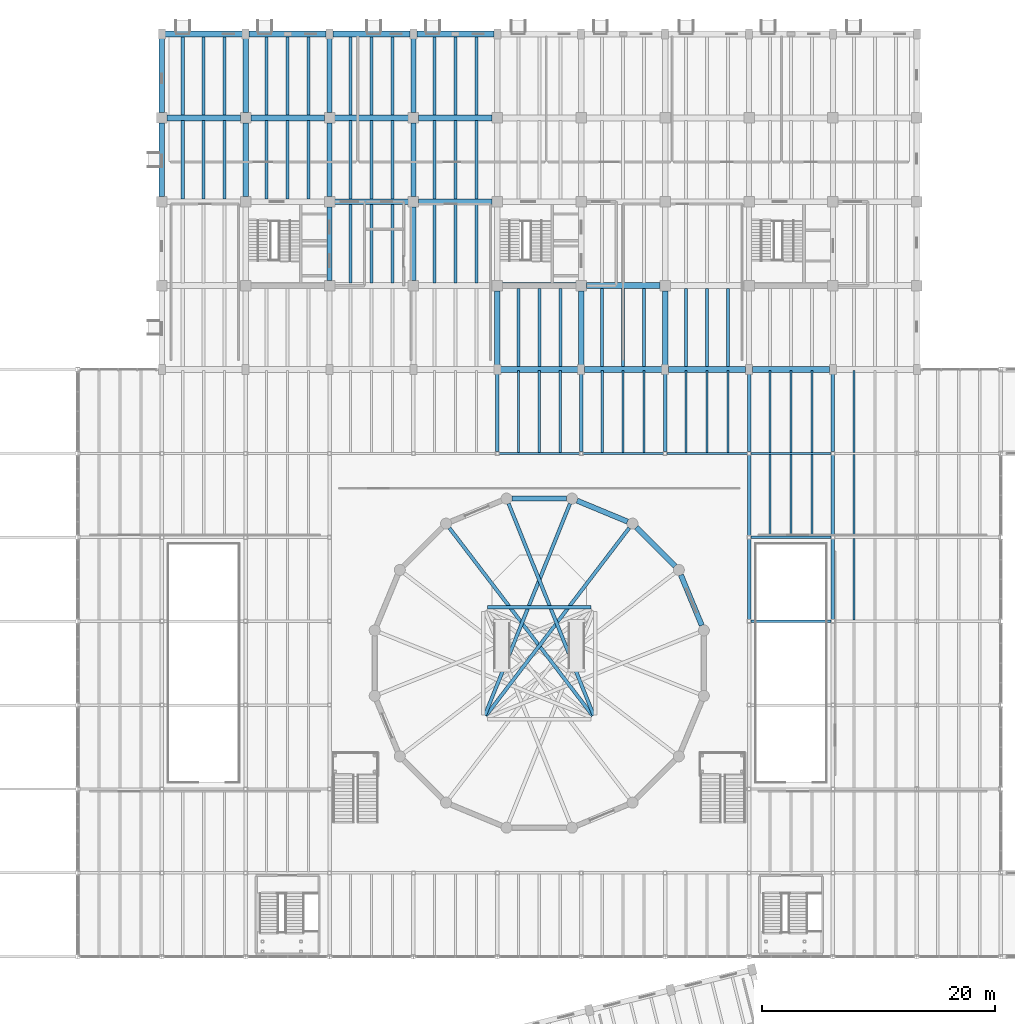
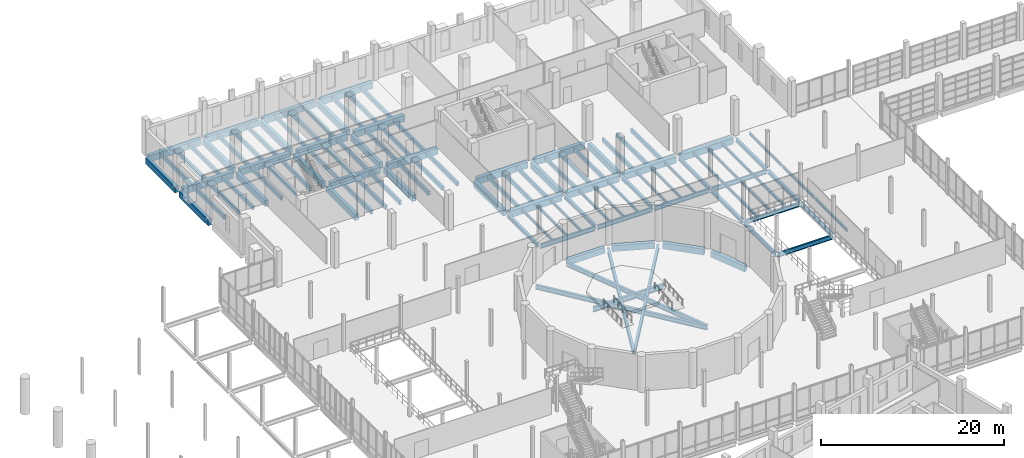
# One storey, part 36 of 77: 110 beams.
"""IFC4 building model written with IfcOpenShell, lengths in metres."""

from ifc_helpers import new_model, si_unit, direction, frame, origin, origin_2d, place, context, subcontext, project, spatial, rectangle, i_section, extrude, material, material_profile, profile_set, type_object, element, save


model = new_model("IFC4")

# Units and contexts
model_context = context("Model", 3, precision=1e-05, world=origin(), true_north=direction((0.0, 1.0)))
body_context = subcontext(model_context, "Body", "Model", "MODEL_VIEW")
ifc_project = project(units=[si_unit("LENGTHUNIT", "METRE"), si_unit("AREAUNIT", "SQUARE_METRE"), si_unit("VOLUMEUNIT", "CUBIC_METRE"), si_unit("PLANEANGLEUNIT", "RADIAN"), si_unit("MASSUNIT", "GRAM", prefix="KILO")], contexts=[model_context])

# Site, building, storey
site_placement = place(None, origin())
site = spatial("IfcSite", under=ifc_project, at=site_placement, CompositionType="ELEMENT")
building_placement = place(site_placement, origin())
building = spatial("IfcBuilding", under=site, at=building_placement, Name="Qiaolan Assembly House", CompositionType="ELEMENT")
storey_placement = place(building_placement, frame((0.0, 0.0, 5.39990234375)))
storey = spatial("IfcBuildingStorey", under=building, at=storey_placement, Name="L01", CompositionType="ELEMENT", Elevation=5.39990234375)

# Beams
ifc_material_1 = material(Name="Concrete C40/50", Category="concrete")
ifc_material_profile_1 = material_profile(ifc_material_1, rectangle(XDim=0.449951171875, YDim=0.800048828125, at=origin_2d()), Name="RCB 450x800")
ifc_profile_set_1 = profile_set([ifc_material_profile_1], Name="Concrete C40/50")
beam_type_1 = type_object("IfcBeamType", Name="BM-RC-450x800", PredefinedType="BEAM", material=ifc_profile_set_1)
beam_1_placement = place(storey_placement, frame((36.0, 101.239990234375, -0.64990234375), z_axis=(0.0, 1.0, 0.0), x_axis=(-1.0, 0.0, 0.0)))
element("IfcBeam", 1, at=beam_1_placement, inside=storey, type_object=beam_type_1, Name="GB-03 beam BMY-NW-L01-00-02", PredefinedType="BEAM", context=body_context, shape_type="SweptSolid", body=[
    extrude(rectangle(XDim=0.449951171875, YDim=0.800048828125, at=origin_2d()), origin(), (0.0, 0.0, 1.0), 6.320068359375),
])
beam_2_placement = place(storey_placement, frame((36.0, 108.43994140625, -0.64990234375), z_axis=(0.0, 1.0, 0.0), x_axis=(-1.0, 0.0, 0.0)))
element("IfcBeam", 2, at=beam_2_placement, inside=storey, type_object=beam_type_1, Name="GB-03 beam BMY-NW-L01-00-03", PredefinedType="BEAM", context=body_context, shape_type="SweptSolid", body=[
    extrude(rectangle(XDim=0.449951171875, YDim=0.800048828125, at=origin_2d()), origin(), (0.0, 0.0, 1.0), 6.469970703125),
])
beam_3_placement = place(storey_placement, frame((43.199951171875, 101.239990234375, -0.64990234375), z_axis=(0.0, 1.0, 0.0), x_axis=(-1.0, 0.0, 0.0)))
element("IfcBeam", 3, at=beam_3_placement, inside=storey, type_object=beam_type_1, Name="GB-03 beam BMY-NW-L01-01-02", PredefinedType="BEAM", context=body_context, shape_type="SweptSolid", body=[
    extrude(rectangle(XDim=0.449951171875, YDim=0.800048828125, at=origin_2d()), origin(), (0.0, 0.0, 1.0), 6.320068359375),
])
beam_4_placement = place(storey_placement, frame((43.199951171875, 108.43994140625, -0.64990234375), z_axis=(0.0, 1.0, 0.0), x_axis=(-1.0, 0.0, 0.0)))
element("IfcBeam", 4, at=beam_4_placement, inside=storey, type_object=beam_type_1, Name="GB-03 beam BMY-NW-L01-01-03", PredefinedType="BEAM", context=body_context, shape_type="SweptSolid", body=[
    extrude(rectangle(XDim=0.449951171875, YDim=0.800048828125, at=origin_2d()), origin(), (0.0, 0.0, 1.0), 6.469970703125),
])
for number, where, z_axis, x_axis, name in (
    (5, (50.39990234375, 94.0400390625, -0.64990234375), (0.0, 1.0, 0.0), (-1.0, 0.0, 0.0), "GB-03 beam BMY-NW-L01-02-01"),
    (6, (50.39990234375, 101.239990234375, -0.64990234375), (0.0, 1.0, 0.0), (-1.0, 0.0, 0.0), "GB-03 beam BMY-NW-L01-02-02"),
):
    element("IfcBeam", number, at=place(storey_placement, frame(where, z_axis=z_axis, x_axis=x_axis)), inside=storey, type_object=beam_type_1, Name=name, PredefinedType="BEAM", context=body_context, shape_type="SweptSolid", body=[
        extrude(rectangle(XDim=0.449951171875, YDim=0.800048828125, at=origin_2d()), origin(), (0.0, 0.0, 1.0), 6.320068359375),
    ])
beam_5_placement = place(storey_placement, frame((50.39990234375, 108.43994140625, -0.64990234375), z_axis=(0.0, 1.0, 0.0), x_axis=(-1.0, 0.0, 0.0)))
element("IfcBeam", 7, at=beam_5_placement, inside=storey, type_object=beam_type_1, Name="GB-03 beam BMY-NW-L01-02-03", PredefinedType="BEAM", context=body_context, shape_type="SweptSolid", body=[
    extrude(rectangle(XDim=0.449951171875, YDim=0.800048828125, at=origin_2d()), origin(), (0.0, 0.0, 1.0), 6.469970703125),
])
for number, where, z_axis, x_axis, name in (
    (8, (57.60009765625, 94.0400390625, -0.64990234375), (0.0, 1.0, 0.0), (-1.0, 0.0, 0.0), "GB-03 beam BMY-NW-L01-03-01"),
    (9, (57.60009765625, 101.239990234375, -0.64990234375), (0.0, 1.0, 0.0), (-1.0, 0.0, 0.0), "GB-03 beam BMY-NW-L01-03-02"),
):
    element("IfcBeam", number, at=place(storey_placement, frame(where, z_axis=z_axis, x_axis=x_axis)), inside=storey, type_object=beam_type_1, Name=name, PredefinedType="BEAM", context=body_context, shape_type="SweptSolid", body=[
        extrude(rectangle(XDim=0.449951171875, YDim=0.800048828125, at=origin_2d()), origin(), (0.0, 0.0, 1.0), 6.320068359375),
    ])
for number, where, z_axis, x_axis, name in (
    (10, (57.60009765625, 108.43994140625, -0.64990234375), (0.0, 1.0, 0.0), (-1.0, 0.0, 0.0), "GB-03 beam BMY-NW-L01-03-03"),
    (11, (64.800048828125, 86.68994140625, -0.64990234375), (0.0, 1.0, 0.0), (-1.0, 0.0, 0.0), "GB-03 beam BMY-NW-L01-04-00"),
    (12, (72.0, 86.68994140625, -0.64990234375), (0.0, 1.0, 0.0), (-1.0, 0.0, 0.0), "GB-03 beam BMY-NW-L01-05-00"),
    (13, (79.199951171875, 86.68994140625, -0.64990234375), (0.0, 1.0, 0.0), (-1.0, 0.0, 0.0), "GB-03 beam BMY-NW-L01-06-00"),
):
    element("IfcBeam", number, at=place(storey_placement, frame(where, z_axis=z_axis, x_axis=x_axis)), inside=storey, type_object=beam_type_1, Name=name, PredefinedType="BEAM", context=body_context, shape_type="SweptSolid", body=[
        extrude(rectangle(XDim=0.449951171875, YDim=0.800048828125, at=origin_2d()), origin(), (0.0, 0.0, 1.0), 6.469970703125),
    ])
for number, where, z_axis, x_axis, name in (
    (14, (82.345458984375, 64.43896484375, -0.68994140625), (-0.382728899311, 0.923860698175, 0.0), (-0.923860698175, -0.382728899311, 0.0), "GB-03 beam BM-DRUM-L01-00"),
    (15, (80.04443359375, 69.529052734375, -0.68994140625), (-0.707132816525, 0.707080744889, 0.0), (-0.707080744889, -0.707132816525, 0.0), "GB-03 beam BM-DRUM-L01-01"),
):
    element("IfcBeam", number, at=place(storey_placement, frame(where, z_axis=z_axis, x_axis=x_axis)), inside=storey, type_object=beam_type_1, Name=name, PredefinedType="BEAM", context=body_context, shape_type="SweptSolid", body=[
        extrude(rectangle(XDim=0.449951171875, YDim=0.800048828125, at=origin_2d()), origin(), (0.0, 0.0, 1.0), 4.6884765625),
    ])
for number, where, z_axis, x_axis, name in (
    (16, (75.970703125, 73.35107421875, -0.68994140625), (-0.923886734906, 0.382666043782, 0.0), (-0.382666043782, -0.923886734906, 0.0), "GB-03 beam BM-DRUM-L01-02"),
    (17, (70.744384765625, 75.3232421875, -0.68994140625), (-1.0, 0.0, 0.0), (0.0, -1.0, 0.0), "GB-03 beam BM-DRUM-L01-03"),
):
    element("IfcBeam", number, at=place(storey_placement, frame(where, z_axis=z_axis, x_axis=x_axis)), inside=storey, type_object=beam_type_1, Name=name, PredefinedType="BEAM", context=body_context, shape_type="SweptSolid", body=[
        extrude(rectangle(XDim=0.449951171875, YDim=0.800048828125, at=origin_2d()), origin(), (0.0, 0.0, 1.0), 4.688720703125),
    ])
ifc_material_2 = material(Name="Concrete C45/55", Category="concrete")
ifc_material_profile_2 = material_profile(ifc_material_2, rectangle(XDim=0.5, YDim=0.85009765625, at=origin_2d()), Name="RCB 500x850")
ifc_profile_set_2 = profile_set([ifc_material_profile_2], Name="Concrete C45/55")
beam_type_2 = type_object("IfcBeamType", Name="BM-RC-500x850", PredefinedType="BEAM", material=ifc_profile_set_2)
for number, where, z_axis, x_axis, name in (
    (18, (65.090087890625, 86.39990234375, -0.724853515625), (1.0, 0.0, 0.0), (0.0, 1.0, 0.0), "GB-02 beam BMX-NW-L01-04-00"),
    (19, (72.2900390625, 86.39990234375, -0.724853515625), (1.0, 0.0, 0.0), (0.0, 1.0, 0.0), "GB-02 beam BMX-NW-L01-05-00"),
):
    element("IfcBeam", number, at=place(storey_placement, frame(where, z_axis=z_axis, x_axis=x_axis)), inside=storey, type_object=beam_type_2, Name=name, PredefinedType="BEAM", context=body_context, shape_type="SweptSolid", body=[
        extrude(rectangle(XDim=0.5, YDim=0.85009765625, at=origin_2d()), origin(), (0.0, 0.0, 1.0), 6.619873046875),
    ])
for number, where, z_axis, x_axis, name in (
    (20, (79.489990234375, 86.39990234375, -0.724853515625), (1.0, 0.0, 0.0), (0.0, 1.0, 0.0), "GB-02 beam BMX-NW-L01-06-00"),
    (21, (86.68994140625, 86.39990234375, -0.724853515625), (1.0, 0.0, 0.0), (0.0, 1.0, 0.0), "GB-02 beam BMX-NW-L01-07-00"),
):
    element("IfcBeam", number, at=place(storey_placement, frame(where, z_axis=z_axis, x_axis=x_axis)), inside=storey, type_object=beam_type_2, Name=name, PredefinedType="BEAM", context=body_context, shape_type="SweptSolid", body=[
        extrude(rectangle(XDim=0.5, YDim=0.85009765625, at=origin_2d()), origin(), (0.0, 0.0, 1.0), 6.6201171875),
    ])
for number, where, z_axis, x_axis, name in (
    (22, (65.239990234375, 93.60009765625, -0.6748046875), (1.0, 0.0, 0.0), (0.0, 1.0, 0.0), "GB-02 beam BMX-NW-L01-04-01"),
    (23, (72.43994140625, 93.60009765625, -0.6748046875), (1.0, 0.0, 0.0), (0.0, 1.0, 0.0), "GB-02 beam BMX-NW-L01-05-01"),
):
    element("IfcBeam", number, at=place(storey_placement, frame(where, z_axis=z_axis, x_axis=x_axis)), inside=storey, type_object=beam_type_2, Name=name, PredefinedType="BEAM", context=body_context, shape_type="SweptSolid", body=[
        extrude(rectangle(XDim=0.5, YDim=0.85009765625, at=origin_2d()), origin(), (0.0, 0.0, 1.0), 6.320068359375),
    ])
beam_6_placement = place(storey_placement, frame((50.840087890625, 100.800048828125, -0.6748046875), z_axis=(1.0, 0.0, 0.0), x_axis=(0.0, 1.0, 0.0)))
element("IfcBeam", 24, at=beam_6_placement, inside=storey, type_object=beam_type_2, Name="GB-02 beam BMX-NW-L01-02-02", PredefinedType="BEAM", context=body_context, shape_type="SweptSolid", body=[
    extrude(rectangle(XDim=0.5, YDim=0.85009765625, at=origin_2d()), origin(), (0.0, 0.0, 1.0), 6.31982421875),
])
for number, where, z_axis, x_axis, name in (
    (25, (58.0400390625, 100.800048828125, -0.6748046875), (1.0, 0.0, 0.0), (0.0, 1.0, 0.0), "GB-02 beam BMX-NW-L01-03-02"),
    (26, (36.43994140625, 108.0, -0.6748046875), (1.0, 0.0, 0.0), (0.0, 1.0, 0.0), "GB-02 beam BMX-NW-L01-00-03"),
    (27, (43.639892578125, 108.0, -0.6748046875), (1.0, 0.0, 0.0), (0.0, 1.0, 0.0), "GB-02 beam BMX-NW-L01-01-03"),
):
    element("IfcBeam", number, at=place(storey_placement, frame(where, z_axis=z_axis, x_axis=x_axis)), inside=storey, type_object=beam_type_2, Name=name, PredefinedType="BEAM", context=body_context, shape_type="SweptSolid", body=[
        extrude(rectangle(XDim=0.5, YDim=0.85009765625, at=origin_2d()), origin(), (0.0, 0.0, 1.0), 6.320068359375),
    ])
beam_7_placement = place(storey_placement, frame((50.840087890625, 108.0, -0.6748046875), z_axis=(1.0, 0.0, 0.0), x_axis=(0.0, 1.0, 0.0)))
element("IfcBeam", 28, at=beam_7_placement, inside=storey, type_object=beam_type_2, Name="GB-02 beam BMX-NW-L01-02-03", PredefinedType="BEAM", context=body_context, shape_type="SweptSolid", body=[
    extrude(rectangle(XDim=0.5, YDim=0.85009765625, at=origin_2d()), origin(), (0.0, 0.0, 1.0), 6.31982421875),
])
beam_8_placement = place(storey_placement, frame((58.0400390625, 108.0, -0.6748046875), z_axis=(1.0, 0.0, 0.0), x_axis=(0.0, 1.0, 0.0)))
element("IfcBeam", 29, at=beam_8_placement, inside=storey, type_object=beam_type_2, Name="GB-02 beam BMX-NW-L01-03-03", PredefinedType="BEAM", context=body_context, shape_type="SweptSolid", body=[
    extrude(rectangle(XDim=0.5, YDim=0.85009765625, at=origin_2d()), origin(), (0.0, 0.0, 1.0), 6.320068359375),
])
beam_9_placement = place(storey_placement, frame((36.2900390625, 115.199951171875, -0.6748046875), z_axis=(1.0, 0.0, 0.0), x_axis=(0.0, 1.0, 0.0)))
element("IfcBeam", 30, at=beam_9_placement, inside=storey, type_object=beam_type_2, Name="GB-02 beam BMX-NW-L01-00-04", PredefinedType="BEAM", context=body_context, shape_type="SweptSolid", body=[
    extrude(rectangle(XDim=0.5, YDim=0.85009765625, at=origin_2d()), origin(), (0.0, 0.0, 1.0), 6.619873046875),
])
for number, where, z_axis, x_axis, name in (
    (31, (43.489990234375, 115.199951171875, -0.6748046875), (1.0, 0.0, 0.0), (0.0, 1.0, 0.0), "GB-02 beam BMX-NW-L01-01-04"),
    (32, (50.68994140625, 115.199951171875, -0.6748046875), (1.0, 0.0, 0.0), (0.0, 1.0, 0.0), "GB-02 beam BMX-NW-L01-02-04"),
    (33, (57.889892578125, 115.199951171875, -0.6748046875), (1.0, 0.0, 0.0), (0.0, 1.0, 0.0), "GB-02 beam BMX-NW-L01-03-04"),
):
    element("IfcBeam", number, at=place(storey_placement, frame(where, z_axis=z_axis, x_axis=x_axis)), inside=storey, type_object=beam_type_2, Name=name, PredefinedType="BEAM", context=body_context, shape_type="SweptSolid", body=[
        extrude(rectangle(XDim=0.5, YDim=0.85009765625, at=origin_2d()), origin(), (0.0, 0.0, 1.0), 6.6201171875),
    ])
ifc_material_3 = material(Name="Steel Q355B", Category="steel")
ifc_material_profile_3 = material_profile(ifc_material_3, i_section(OverallWidth=0.300048828125, OverallDepth=0.488037109375, WebThickness=0.010986328125, FlangeThickness=0.01806640625, FilletRadius=0.02001953125, at=origin_2d()), Name="HM 488x300x11x18")
ifc_profile_set_3 = profile_set([ifc_material_profile_3], Name="Steel Q355B")
beam_type_3 = type_object("IfcBeamType", Name="BM-STL-HM488", PredefinedType="BEAM", material=ifc_profile_set_3)
for number, where, z_axis, x_axis, name in (
    (34, (64.800048828125, 79.35009765625, -0.5439453125), (0.0, 1.0, 0.0), (-1.0, 0.0, 0.0), "SB-04 beam BMY-HL-L01-06-06"),
    (35, (72.0, 79.35009765625, -0.5439453125), (0.0, 1.0, 0.0), (-1.0, 0.0, 0.0), "SB-04 beam BMY-HL-L01-07-06"),
    (36, (79.199951171875, 79.35009765625, -0.5439453125), (0.0, 1.0, 0.0), (-1.0, 0.0, 0.0), "SB-04 beam BMY-HL-L01-08-06"),
):
    element("IfcBeam", number, at=place(storey_placement, frame(where, z_axis=z_axis, x_axis=x_axis)), inside=storey, type_object=beam_type_3, Name=name, PredefinedType="BEAM", context=body_context, shape_type="SweptSolid", body=[
        extrude(i_section(OverallWidth=0.300048828125, OverallDepth=0.488037109375, WebThickness=0.010986328125, FlangeThickness=0.01806640625, FilletRadius=0.02001953125, at=origin_2d()), origin(), (0.0, 0.0, 1.0), 6.760009765625),
    ])
for number, where, z_axis, x_axis, name in (
    (37, (86.39990234375, 64.949951171875, -0.5439453125), (0.0, 1.0, 0.0), (-1.0, 0.0, 0.0), "SB-04 beam BMY-HL-L01-09-04"),
    (38, (86.39990234375, 72.14990234375, -0.5439453125), (0.0, 1.0, 0.0), (-1.0, 0.0, 0.0), "SB-04 beam BMY-HL-L01-09-05"),
):
    element("IfcBeam", number, at=place(storey_placement, frame(where, z_axis=z_axis, x_axis=x_axis)), inside=storey, type_object=beam_type_3, Name=name, PredefinedType="BEAM", context=body_context, shape_type="SweptSolid", body=[
        extrude(i_section(OverallWidth=0.300048828125, OverallDepth=0.488037109375, WebThickness=0.010986328125, FlangeThickness=0.01806640625, FilletRadius=0.02001953125, at=origin_2d()), origin(), (0.0, 0.0, 1.0), 6.900146484375),
    ])
beam_10_placement = place(storey_placement, frame((86.39990234375, 79.35009765625, -0.5439453125), z_axis=(0.0, 1.0, 0.0), x_axis=(-1.0, 0.0, 0.0)))
element("IfcBeam", 39, at=beam_10_placement, inside=storey, type_object=beam_type_3, Name="SB-04 beam BMY-HL-L01-09-06", PredefinedType="BEAM", context=body_context, shape_type="SweptSolid", body=[
    extrude(i_section(OverallWidth=0.300048828125, OverallDepth=0.488037109375, WebThickness=0.010986328125, FlangeThickness=0.01806640625, FilletRadius=0.02001953125, at=origin_2d()), origin(), (0.0, 0.0, 1.0), 6.760009765625),
])
for number, where, z_axis, x_axis, name in (
    (40, (93.60009765625, 64.949951171875, -0.5439453125), (0.0, 1.0, 0.0), (-1.0, 0.0, 0.0), "SB-04 beam BMY-HL-L01-10-04"),
    (41, (93.60009765625, 72.14990234375, -0.5439453125), (0.0, 1.0, 0.0), (-1.0, 0.0, 0.0), "SB-04 beam BMY-HL-L01-10-05"),
):
    element("IfcBeam", number, at=place(storey_placement, frame(where, z_axis=z_axis, x_axis=x_axis)), inside=storey, type_object=beam_type_3, Name=name, PredefinedType="BEAM", context=body_context, shape_type="SweptSolid", body=[
        extrude(i_section(OverallWidth=0.300048828125, OverallDepth=0.488037109375, WebThickness=0.010986328125, FlangeThickness=0.01806640625, FilletRadius=0.02001953125, at=origin_2d()), origin(), (0.0, 0.0, 1.0), 6.900146484375),
    ])
beam_11_placement = place(storey_placement, frame((93.60009765625, 79.35009765625, -0.5439453125), z_axis=(0.0, 1.0, 0.0), x_axis=(-1.0, 0.0, 0.0)))
element("IfcBeam", 42, at=beam_11_placement, inside=storey, type_object=beam_type_3, Name="SB-04 beam BMY-HL-L01-10-06", PredefinedType="BEAM", context=body_context, shape_type="SweptSolid", body=[
    extrude(i_section(OverallWidth=0.300048828125, OverallDepth=0.488037109375, WebThickness=0.010986328125, FlangeThickness=0.01806640625, FilletRadius=0.02001953125, at=origin_2d()), origin(), (0.0, 0.0, 1.0), 6.760009765625),
])
ifc_material_profile_4 = material_profile(ifc_material_3, i_section(OverallWidth=0.300048828125, OverallDepth=0.587890625, WebThickness=0.011962890625, FlangeThickness=0.02001953125, FilletRadius=0.02197265625, at=origin_2d()), Name="HM 588x300x12x20")
ifc_profile_set_4 = profile_set([ifc_material_profile_4], Name="Steel Q355B")
beam_type_4 = type_object("IfcBeamType", Name="BM-STL-HM588", PredefinedType="BEAM", material=ifc_profile_set_4)
beam_12_placement = place(storey_placement, frame((63.821533203125, 56.690185546875, -0.598876953125), z_axis=(0.606662502658, 0.794959500773, 0.0), x_axis=(-0.794959500773, 0.606662502658, 0.0)))
element("IfcBeam", 43, at=beam_12_placement, inside=storey, type_object=beam_type_4, Name="SB-02 beam BM-UC-RAD-02", PredefinedType="BEAM", context=body_context, shape_type="SweptSolid", body=[
    extrude(i_section(OverallWidth=0.300048828125, OverallDepth=0.587890625, WebThickness=0.011962890625, FlangeThickness=0.02001953125, FilletRadius=0.02197265625, at=origin_2d()), origin(), (0.0, 0.0, 1.0), 20.269287109375),
])
beam_13_placement = place(storey_placement, frame((63.736083984375, 56.738525390625, -0.598876953125), z_axis=(0.373085312901, 0.927797041005, 0.0), x_axis=(-0.927797041005, 0.373085312901, 0.0)))
element("IfcBeam", 44, at=beam_13_placement, inside=storey, type_object=beam_type_4, Name="SB-02 beam BM-UC-RAD-03", PredefinedType="BEAM", context=body_context, shape_type="SweptSolid", body=[
    extrude(i_section(OverallWidth=0.300048828125, OverallDepth=0.587890625, WebThickness=0.011962890625, FlangeThickness=0.02001953125, FilletRadius=0.02197265625, at=origin_2d()), origin(), (0.0, 0.0, 1.0), 19.566162109375),
])
beam_14_placement = place(storey_placement, frame((73.063720703125, 56.738525390625, -0.598876953125), z_axis=(-0.37307457187, 0.927801360111, 0.0), x_axis=(-0.927801360111, -0.37307457187, 0.0)))
element("IfcBeam", 45, at=beam_14_placement, inside=storey, type_object=beam_type_4, Name="SB-02 beam BM-UC-RAD-04", PredefinedType="BEAM", context=body_context, shape_type="SweptSolid", body=[
    extrude(i_section(OverallWidth=0.300048828125, OverallDepth=0.587890625, WebThickness=0.011962890625, FlangeThickness=0.02001953125, FilletRadius=0.02197265625, at=origin_2d()), origin(), (0.0, 0.0, 1.0), 19.56591796875),
])
beam_15_placement = place(storey_placement, frame((72.978515625, 56.690185546875, -0.598876953125), z_axis=(-0.606662502658, 0.794959500773, 0.0), x_axis=(-0.794959500773, -0.606662502658, 0.0)))
element("IfcBeam", 46, at=beam_15_placement, inside=storey, type_object=beam_type_4, Name="SB-02 beam BM-UC-RAD-05", PredefinedType="BEAM", context=body_context, shape_type="SweptSolid", body=[
    extrude(i_section(OverallWidth=0.300048828125, OverallDepth=0.587890625, WebThickness=0.011962890625, FlangeThickness=0.02001953125, FilletRadius=0.02197265625, at=origin_2d()), origin(), (0.0, 0.0, 1.0), 20.269287109375),
])
ifc_material_profile_5 = material_profile(ifc_material_3, i_section(OverallWidth=0.199951171875, OverallDepth=0.60009765625, WebThickness=0.010986328125, FlangeThickness=0.01708984375, FilletRadius=0.02001953125, at=origin_2d()), Name="HN 600x200x11x17")
ifc_profile_set_5 = profile_set([ifc_material_profile_5], Name="Steel Q355B")
beam_type_5 = type_object("IfcBeamType", Name="BM-STL-HN600", PredefinedType="BEAM", material=ifc_profile_set_5)
for number, where, z_axis, x_axis, name in (
    (47, (86.550048828125, 64.800048828125, -0.599853515625), (1.0, 0.0, 0.0), (0.0, 1.0, 0.0), "SB-03 beam BMX-HL-L01-09-04"),
    (48, (86.550048828125, 72.0, -0.599853515625), (1.0, 0.0, 0.0), (0.0, 1.0, 0.0), "SB-03 beam BMX-HL-L01-09-05"),
):
    element("IfcBeam", number, at=place(storey_placement, frame(where, z_axis=z_axis, x_axis=x_axis)), inside=storey, type_object=beam_type_5, Name=name, PredefinedType="BEAM", context=body_context, shape_type="SweptSolid", body=[
        extrude(i_section(OverallWidth=0.199951171875, OverallDepth=0.60009765625, WebThickness=0.010986328125, FlangeThickness=0.01708984375, FilletRadius=0.02001953125, at=origin_2d()), origin(), (0.0, 0.0, 1.0), 6.89990234375),
    ])
for number, where, z_axis, x_axis, name in (
    (49, (64.949951171875, 79.199951171875, -0.599853515625), (1.0, 0.0, 0.0), (0.0, 1.0, 0.0), "SB-03 beam BMX-HL-L01-06-06"),
    (50, (72.14990234375, 79.199951171875, -0.599853515625), (1.0, 0.0, 0.0), (0.0, 1.0, 0.0), "SB-03 beam BMX-HL-L01-07-06"),
):
    element("IfcBeam", number, at=place(storey_placement, frame(where, z_axis=z_axis, x_axis=x_axis)), inside=storey, type_object=beam_type_5, Name=name, PredefinedType="BEAM", context=body_context, shape_type="SweptSolid", body=[
        extrude(i_section(OverallWidth=0.199951171875, OverallDepth=0.60009765625, WebThickness=0.010986328125, FlangeThickness=0.01708984375, FilletRadius=0.02001953125, at=origin_2d()), origin(), (0.0, 0.0, 1.0), 6.900146484375),
    ])
for number, where, z_axis, x_axis, name in (
    (51, (79.35009765625, 79.199951171875, -0.599853515625), (1.0, 0.0, 0.0), (0.0, 1.0, 0.0), "SB-03 beam BMX-HL-L01-08-06"),
    (52, (86.550048828125, 79.199951171875, -0.599853515625), (1.0, 0.0, 0.0), (0.0, 1.0, 0.0), "SB-03 beam BMX-HL-L01-09-06"),
):
    element("IfcBeam", number, at=place(storey_placement, frame(where, z_axis=z_axis, x_axis=x_axis)), inside=storey, type_object=beam_type_5, Name=name, PredefinedType="BEAM", context=body_context, shape_type="SweptSolid", body=[
        extrude(i_section(OverallWidth=0.199951171875, OverallDepth=0.60009765625, WebThickness=0.010986328125, FlangeThickness=0.01708984375, FilletRadius=0.02001953125, at=origin_2d()), origin(), (0.0, 0.0, 1.0), 6.89990234375),
    ])
ifc_material_profile_6 = material_profile(ifc_material_3, i_section(OverallWidth=0.300048828125, OverallDepth=0.699951171875, WebThickness=0.012939453125, FlangeThickness=0.02392578125, FilletRadius=0.02392578125, at=origin_2d()), Name="HN 700x300x13x24")
ifc_profile_set_6 = profile_set([ifc_material_profile_6], Name="Steel Q355B")
beam_type_6 = type_object("IfcBeamType", Name="BM-STL-HN700", PredefinedType="BEAM", material=ifc_profile_set_6)
beam_16_placement = place(storey_placement, frame((72.8349609375, 66.0, -0.65478515625), z_axis=(-1.0, 0.0, 0.0), x_axis=(0.0, -1.0, 0.0)))
element("IfcBeam", 53, at=beam_16_placement, inside=storey, type_object=beam_type_6, Name="SB-01 beam BM-UC-RING-02", PredefinedType="BEAM", context=body_context, shape_type="SweptSolid", body=[
    extrude(i_section(OverallWidth=0.300048828125, OverallDepth=0.699951171875, WebThickness=0.012939453125, FlangeThickness=0.02392578125, FilletRadius=0.02392578125, at=origin_2d()), origin(), (0.0, 0.0, 1.0), 8.869873046875),
])
ifc_material_profile_7 = material_profile(ifc_material_1, rectangle(XDim=0.260009765625, YDim=0.52001953125, at=origin_2d()), Name="RCB 260x520")
ifc_profile_set_7 = profile_set([ifc_material_profile_7], Name="Concrete C40/50")
beam_type_7 = type_object("IfcBeamType", Name="JST-RC-260x520", PredefinedType="JOIST", material=ifc_profile_set_7)
for number, where, z_axis, x_axis, name in (
    (54, (37.800048828125, 101.0439453125, -0.510009765625), (0.0, 1.0, 0.0), (-1.0, 0.0, 0.0), "RJ-07 beam JST-NW-L01-00-02-1"),
    (55, (39.60009765625, 101.0439453125, -0.510009765625), (0.0, 1.0, 0.0), (-1.0, 0.0, 0.0), "RJ-07 beam JST-NW-L01-00-02-2"),
    (56, (41.39990234375, 101.0439453125, -0.510009765625), (0.0, 1.0, 0.0), (-1.0, 0.0, 0.0), "RJ-07 beam JST-NW-L01-00-02-3"),
    (57, (37.800048828125, 108.243896484375, -0.510009765625), (0.0, 1.0, 0.0), (-1.0, 0.0, 0.0), "RJ-07 beam JST-NW-L01-00-03-1"),
    (58, (39.60009765625, 108.243896484375, -0.510009765625), (0.0, 1.0, 0.0), (-1.0, 0.0, 0.0), "RJ-07 beam JST-NW-L01-00-03-2"),
    (59, (41.39990234375, 108.243896484375, -0.510009765625), (0.0, 1.0, 0.0), (-1.0, 0.0, 0.0), "RJ-07 beam JST-NW-L01-00-03-3"),
    (60, (45.0, 101.0439453125, -0.510009765625), (0.0, 1.0, 0.0), (-1.0, 0.0, 0.0), "RJ-07 beam JST-NW-L01-01-02-1"),
    (61, (46.800048828125, 101.0439453125, -0.510009765625), (0.0, 1.0, 0.0), (-1.0, 0.0, 0.0), "RJ-07 beam JST-NW-L01-01-02-2"),
    (62, (48.60009765625, 101.0439453125, -0.510009765625), (0.0, 1.0, 0.0), (-1.0, 0.0, 0.0), "RJ-07 beam JST-NW-L01-01-02-3"),
    (63, (45.0, 108.243896484375, -0.510009765625), (0.0, 1.0, 0.0), (-1.0, 0.0, 0.0), "RJ-07 beam JST-NW-L01-01-03-1"),
    (64, (46.800048828125, 108.243896484375, -0.510009765625), (0.0, 1.0, 0.0), (-1.0, 0.0, 0.0), "RJ-07 beam JST-NW-L01-01-03-2"),
    (65, (48.60009765625, 108.243896484375, -0.510009765625), (0.0, 1.0, 0.0), (-1.0, 0.0, 0.0), "RJ-07 beam JST-NW-L01-01-03-3"),
):
    element("IfcBeam", number, at=place(storey_placement, frame(where, z_axis=z_axis, x_axis=x_axis)), inside=storey, type_object=beam_type_7, Name=name, PredefinedType="JOIST", context=body_context, shape_type="SweptSolid", body=[
        extrude(rectangle(XDim=0.260009765625, YDim=0.52001953125, at=origin_2d()), origin(), (0.0, 0.0, 1.0), 6.712158203125),
    ])
for number, where, z_axis, x_axis, name in (
    (66, (52.199951171875, 93.843994140625, -0.510009765625), (0.0, 1.0, 0.0), (-1.0, 0.0, 0.0), "RJ-07 beam JST-NW-L01-02-01-1"),
    (67, (54.0, 93.843994140625, -0.510009765625), (0.0, 1.0, 0.0), (-1.0, 0.0, 0.0), "RJ-07 beam JST-NW-L01-02-01-2"),
    (68, (55.800048828125, 93.843994140625, -0.510009765625), (0.0, 1.0, 0.0), (-1.0, 0.0, 0.0), "RJ-07 beam JST-NW-L01-02-01-3"),
):
    element("IfcBeam", number, at=place(storey_placement, frame(where, z_axis=z_axis, x_axis=x_axis)), inside=storey, type_object=beam_type_7, Name=name, PredefinedType="JOIST", context=body_context, shape_type="SweptSolid", body=[
        extrude(rectangle(XDim=0.260009765625, YDim=0.52001953125, at=origin_2d()), origin(), (0.0, 0.0, 1.0), 6.7119140625),
    ])
for number, where, z_axis, x_axis, name in (
    (69, (52.199951171875, 101.0439453125, -0.510009765625), (0.0, 1.0, 0.0), (-1.0, 0.0, 0.0), "RJ-07 beam JST-NW-L01-02-02-1"),
    (70, (54.0, 101.0439453125, -0.510009765625), (0.0, 1.0, 0.0), (-1.0, 0.0, 0.0), "RJ-07 beam JST-NW-L01-02-02-2"),
    (71, (55.800048828125, 101.0439453125, -0.510009765625), (0.0, 1.0, 0.0), (-1.0, 0.0, 0.0), "RJ-07 beam JST-NW-L01-02-02-3"),
    (72, (52.199951171875, 108.243896484375, -0.510009765625), (0.0, 1.0, 0.0), (-1.0, 0.0, 0.0), "RJ-07 beam JST-NW-L01-02-03-1"),
    (73, (54.0, 108.243896484375, -0.510009765625), (0.0, 1.0, 0.0), (-1.0, 0.0, 0.0), "RJ-07 beam JST-NW-L01-02-03-2"),
    (74, (55.800048828125, 108.243896484375, -0.510009765625), (0.0, 1.0, 0.0), (-1.0, 0.0, 0.0), "RJ-07 beam JST-NW-L01-02-03-3"),
):
    element("IfcBeam", number, at=place(storey_placement, frame(where, z_axis=z_axis, x_axis=x_axis)), inside=storey, type_object=beam_type_7, Name=name, PredefinedType="JOIST", context=body_context, shape_type="SweptSolid", body=[
        extrude(rectangle(XDim=0.260009765625, YDim=0.52001953125, at=origin_2d()), origin(), (0.0, 0.0, 1.0), 6.712158203125),
    ])
for number, where, z_axis, x_axis, name in (
    (75, (59.39990234375, 93.843994140625, -0.510009765625), (0.0, 1.0, 0.0), (-1.0, 0.0, 0.0), "RJ-07 beam JST-NW-L01-03-01-1"),
    (76, (61.199951171875, 93.843994140625, -0.510009765625), (0.0, 1.0, 0.0), (-1.0, 0.0, 0.0), "RJ-07 beam JST-NW-L01-03-01-2"),
    (77, (63.0, 93.843994140625, -0.510009765625), (0.0, 1.0, 0.0), (-1.0, 0.0, 0.0), "RJ-07 beam JST-NW-L01-03-01-3"),
):
    element("IfcBeam", number, at=place(storey_placement, frame(where, z_axis=z_axis, x_axis=x_axis)), inside=storey, type_object=beam_type_7, Name=name, PredefinedType="JOIST", context=body_context, shape_type="SweptSolid", body=[
        extrude(rectangle(XDim=0.260009765625, YDim=0.52001953125, at=origin_2d()), origin(), (0.0, 0.0, 1.0), 6.7119140625),
    ])
for number, where, z_axis, x_axis, name in (
    (78, (59.39990234375, 101.0439453125, -0.510009765625), (0.0, 1.0, 0.0), (-1.0, 0.0, 0.0), "RJ-07 beam JST-NW-L01-03-02-1"),
    (79, (61.199951171875, 101.0439453125, -0.510009765625), (0.0, 1.0, 0.0), (-1.0, 0.0, 0.0), "RJ-07 beam JST-NW-L01-03-02-2"),
    (80, (63.0, 101.0439453125, -0.510009765625), (0.0, 1.0, 0.0), (-1.0, 0.0, 0.0), "RJ-07 beam JST-NW-L01-03-02-3"),
    (81, (59.39990234375, 108.243896484375, -0.510009765625), (0.0, 1.0, 0.0), (-1.0, 0.0, 0.0), "RJ-07 beam JST-NW-L01-03-03-1"),
    (82, (61.199951171875, 108.243896484375, -0.510009765625), (0.0, 1.0, 0.0), (-1.0, 0.0, 0.0), "RJ-07 beam JST-NW-L01-03-03-2"),
    (83, (63.0, 108.243896484375, -0.510009765625), (0.0, 1.0, 0.0), (-1.0, 0.0, 0.0), "RJ-07 beam JST-NW-L01-03-03-3"),
):
    element("IfcBeam", number, at=place(storey_placement, frame(where, z_axis=z_axis, x_axis=x_axis)), inside=storey, type_object=beam_type_7, Name=name, PredefinedType="JOIST", context=body_context, shape_type="SweptSolid", body=[
        extrude(rectangle(XDim=0.260009765625, YDim=0.52001953125, at=origin_2d()), origin(), (0.0, 0.0, 1.0), 6.712158203125),
    ])
for number, where, z_axis, x_axis, name in (
    (84, (66.60009765625, 86.64404296875, -0.559814453125), (0.0, 1.0, 0.0), (-1.0, 0.0, 0.0), "RJ-07 beam JST-NW-L01-04-00-1"),
    (85, (68.39990234375, 86.64404296875, -0.559814453125), (0.0, 1.0, 0.0), (-1.0, 0.0, 0.0), "RJ-07 beam JST-NW-L01-04-00-2"),
    (86, (70.199951171875, 86.64404296875, -0.559814453125), (0.0, 1.0, 0.0), (-1.0, 0.0, 0.0), "RJ-07 beam JST-NW-L01-04-00-3"),
    (87, (73.800048828125, 86.64404296875, -0.559814453125), (0.0, 1.0, 0.0), (-1.0, 0.0, 0.0), "RJ-07 beam JST-NW-L01-05-00-1"),
    (88, (75.60009765625, 86.64404296875, -0.559814453125), (0.0, 1.0, 0.0), (-1.0, 0.0, 0.0), "RJ-07 beam JST-NW-L01-05-00-2"),
    (89, (77.39990234375, 86.64404296875, -0.559814453125), (0.0, 1.0, 0.0), (-1.0, 0.0, 0.0), "RJ-07 beam JST-NW-L01-05-00-3"),
    (90, (81.0, 86.64404296875, -0.559814453125), (0.0, 1.0, 0.0), (-1.0, 0.0, 0.0), "RJ-07 beam JST-NW-L01-06-00-1"),
    (91, (82.800048828125, 86.64404296875, -0.559814453125), (0.0, 1.0, 0.0), (-1.0, 0.0, 0.0), "RJ-07 beam JST-NW-L01-06-00-2"),
    (92, (84.60009765625, 86.64404296875, -0.559814453125), (0.0, 1.0, 0.0), (-1.0, 0.0, 0.0), "RJ-07 beam JST-NW-L01-06-00-3"),
):
    element("IfcBeam", number, at=place(storey_placement, frame(where, z_axis=z_axis, x_axis=x_axis)), inside=storey, type_object=beam_type_7, Name=name, PredefinedType="JOIST", context=body_context, shape_type="SweptSolid", body=[
        extrude(rectangle(XDim=0.260009765625, YDim=0.52001953125, at=origin_2d()), origin(), (0.0, 0.0, 1.0), 6.7119140625),
    ])
ifc_material_profile_8 = material_profile(ifc_material_3, i_section(OverallWidth=0.179931640625, OverallDepth=0.360107421875, WebThickness=0.008056640625, FlangeThickness=0.011962890625, FilletRadius=0.013916015625, at=origin_2d()), Name="HN 360x180x8x12")
ifc_profile_set_8 = profile_set([ifc_material_profile_8], Name="Steel Q355B")
beam_type_8 = type_object("IfcBeamType", Name="JST-STL-HN360", PredefinedType="JOIST", material=ifc_profile_set_8)
for number, where, z_axis, x_axis, name in (
    (93, (66.60009765625, 79.2939453125, -0.47998046875), (0.0, 1.0, 0.0), (-1.0, 0.0, 0.0), "SJ-06 beam JST-HL-L01-06-06-1"),
    (94, (68.39990234375, 79.2939453125, -0.47998046875), (0.0, 1.0, 0.0), (-1.0, 0.0, 0.0), "SJ-06 beam JST-HL-L01-06-06-2"),
    (95, (70.199951171875, 79.2939453125, -0.47998046875), (0.0, 1.0, 0.0), (-1.0, 0.0, 0.0), "SJ-06 beam JST-HL-L01-06-06-3"),
    (96, (73.800048828125, 79.2939453125, -0.47998046875), (0.0, 1.0, 0.0), (-1.0, 0.0, 0.0), "SJ-06 beam JST-HL-L01-07-06-1"),
    (97, (75.60009765625, 79.2939453125, -0.47998046875), (0.0, 1.0, 0.0), (-1.0, 0.0, 0.0), "SJ-06 beam JST-HL-L01-07-06-2"),
    (98, (77.39990234375, 79.2939453125, -0.47998046875), (0.0, 1.0, 0.0), (-1.0, 0.0, 0.0), "SJ-06 beam JST-HL-L01-07-06-3"),
    (99, (81.0, 79.2939453125, -0.47998046875), (0.0, 1.0, 0.0), (-1.0, 0.0, 0.0), "SJ-06 beam JST-HL-L01-08-06-1"),
    (100, (82.800048828125, 79.2939453125, -0.47998046875), (0.0, 1.0, 0.0), (-1.0, 0.0, 0.0), "SJ-06 beam JST-HL-L01-08-06-2"),
    (101, (84.60009765625, 79.2939453125, -0.47998046875), (0.0, 1.0, 0.0), (-1.0, 0.0, 0.0), "SJ-06 beam JST-HL-L01-08-06-3"),
    (102, (88.199951171875, 72.093994140625, -0.47998046875), (0.0, 1.0, 0.0), (-1.0, 0.0, 0.0), "SJ-06 beam JST-HL-L01-09-05-1"),
    (103, (90.0, 72.093994140625, -0.47998046875), (0.0, 1.0, 0.0), (-1.0, 0.0, 0.0), "SJ-06 beam JST-HL-L01-09-05-2"),
    (104, (91.800048828125, 72.093994140625, -0.47998046875), (0.0, 1.0, 0.0), (-1.0, 0.0, 0.0), "SJ-06 beam JST-HL-L01-09-05-3"),
    (105, (88.199951171875, 79.2939453125, -0.47998046875), (0.0, 1.0, 0.0), (-1.0, 0.0, 0.0), "SJ-06 beam JST-HL-L01-09-06-1"),
    (106, (90.0, 79.2939453125, -0.47998046875), (0.0, 1.0, 0.0), (-1.0, 0.0, 0.0), "SJ-06 beam JST-HL-L01-09-06-2"),
    (107, (91.800048828125, 79.2939453125, -0.47998046875), (0.0, 1.0, 0.0), (-1.0, 0.0, 0.0), "SJ-06 beam JST-HL-L01-09-06-3"),
    (108, (95.39990234375, 64.89404296875, -0.47998046875), (0.0, 1.0, 0.0), (-1.0, 0.0, 0.0), "SJ-06 beam JST-HL-L01-10-04-1"),
    (109, (95.39990234375, 72.093994140625, -0.47998046875), (0.0, 1.0, 0.0), (-1.0, 0.0, 0.0), "SJ-06 beam JST-HL-L01-10-05-1"),
    (110, (95.39990234375, 79.2939453125, -0.47998046875), (0.0, 1.0, 0.0), (-1.0, 0.0, 0.0), "SJ-06 beam JST-HL-L01-10-06-1"),
):
    element("IfcBeam", number, at=place(storey_placement, frame(where, z_axis=z_axis, x_axis=x_axis)), inside=storey, type_object=beam_type_8, Name=name, PredefinedType="JOIST", context=body_context, shape_type="SweptSolid", body=[
        extrude(i_section(OverallWidth=0.179931640625, OverallDepth=0.360107421875, WebThickness=0.008056640625, FlangeThickness=0.011962890625, FilletRadius=0.013916015625, at=origin_2d()), origin(), (0.0, 0.0, 1.0), 7.011962890625),
    ])

save(model, "model.ifc")
